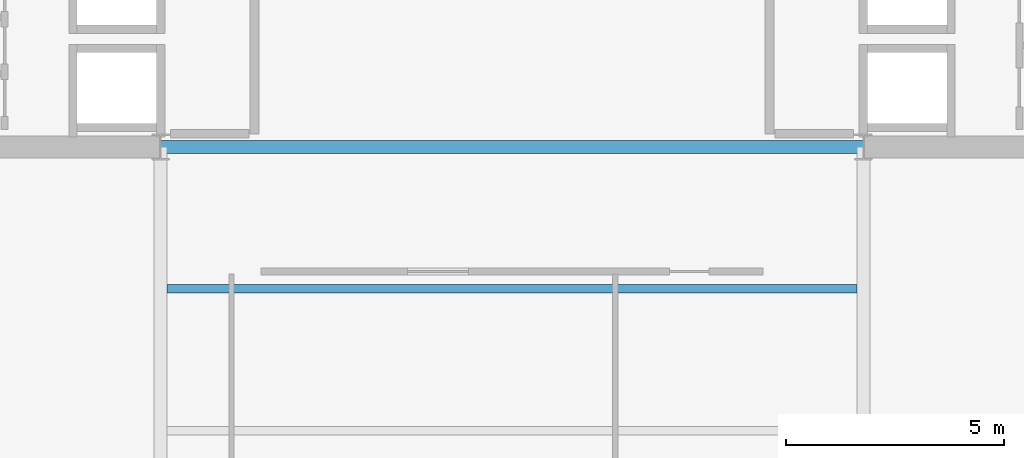
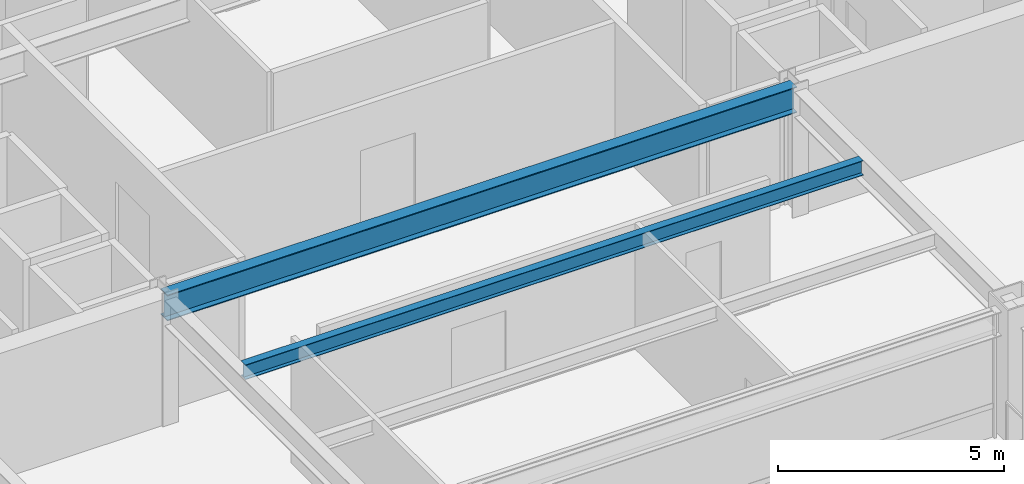
# One storey, part 8 of 31: 2 beams.
"""IFC4 building model written with IfcOpenShell, lengths in metres."""

from ifc_helpers import new_model, si_unit, direction, frame, origin, origin_2d, place, context, subcontext, project, spatial, i_section, extrude, material, material_profile, profile_set, type_object, element, save


model = new_model("IFC4")

# Units and contexts
model_context = context("Model", 3, precision=1e-05, world=origin(), true_north=direction((0.0, 1.0)))
body_context = subcontext(model_context, "Body", "Model", "MODEL_VIEW")
ifc_project = project(units=[si_unit("LENGTHUNIT", "METRE"), si_unit("AREAUNIT", "SQUARE_METRE"), si_unit("VOLUMEUNIT", "CUBIC_METRE"), si_unit("PLANEANGLEUNIT", "RADIAN"), si_unit("MASSUNIT", "GRAM", prefix="KILO")], contexts=[model_context])

# Site, building, storey
site_placement = place(None, origin())
site = spatial("IfcSite", under=ifc_project, at=site_placement, CompositionType="ELEMENT")
building_placement = place(site_placement, origin())
building = spatial("IfcBuilding", under=site, at=building_placement, Name="Brelmoor Portico Tower", CompositionType="ELEMENT")
storey_placement = place(building_placement, frame((0.0, 0.0, 113.39990234375)))
storey = spatial("IfcBuildingStorey", under=building, at=storey_placement, Name="L29", CompositionType="ELEMENT", Elevation=113.39990234375)

# Beams
ifc_material = material(Name="Steel Q355B", Category="steel")
ifc_material_profile_1 = material_profile(ifc_material, i_section(OverallWidth=0.199951171875, OverallDepth=0.39990234375, WebThickness=0.008056640625, FlangeThickness=0.012939453125, at=origin_2d()), Name="HN 400x200x8x13")
ifc_profile_set_1 = profile_set([ifc_material_profile_1], Name="Steel Q355B")
beam_type_1 = type_object("IfcBeamType", Name="BM-JS-400", PredefinedType="JOIST", material=ifc_profile_set_1)
beam_1_placement = place(storey_placement, frame((-7.89990234375, -13.0, 3.2001953125), z_axis=(1.0, 0.0, 0.0), x_axis=(0.0, 1.0, 0.0)))
element("IfcBeam", 1, at=beam_1_placement, inside=storey, type_object=beam_type_1, Name="L29 Secondary Composite Joist JS-C02", PredefinedType="JOIST", context=body_context, shape_type="SweptSolid", body=[
    extrude(i_section(OverallWidth=0.199951171875, OverallDepth=0.39990234375, WebThickness=0.008056640625, FlangeThickness=0.012939453125, at=origin_2d()), origin(), (0.0, 0.0, 1.0), 15.7998046875),
])
ifc_material_profile_2 = material_profile(ifc_material, i_section(OverallWidth=0.300048828125, OverallDepth=0.699951171875, WebThickness=0.012939453125, FlangeThickness=0.02392578125, at=origin_2d()), Name="HN 700x300x13x24")
ifc_profile_set_2 = profile_set([ifc_material_profile_2], Name="Steel Q355B")
beam_type_2 = type_object("IfcBeamType", Name="BM-PG-700", PredefinedType="BEAM", material=ifc_profile_set_2)
beam_2_placement = place(storey_placement, frame((-8.050048828125, -9.75, 3.050048828125), z_axis=(1.0, 0.0, 0.0), x_axis=(0.0, 1.0, 0.0)))
element("IfcBeam", 2, at=beam_2_placement, inside=storey, type_object=beam_type_2, Name="L29 Primary Floor Girder PG-16", PredefinedType="BEAM", context=body_context, shape_type="SweptSolid", body=[
    extrude(i_section(OverallWidth=0.300048828125, OverallDepth=0.699951171875, WebThickness=0.012939453125, FlangeThickness=0.02392578125, at=origin_2d()), origin(), (0.0, 0.0, 1.0), 16.10009765625),
])

save(model, "model.ifc")
